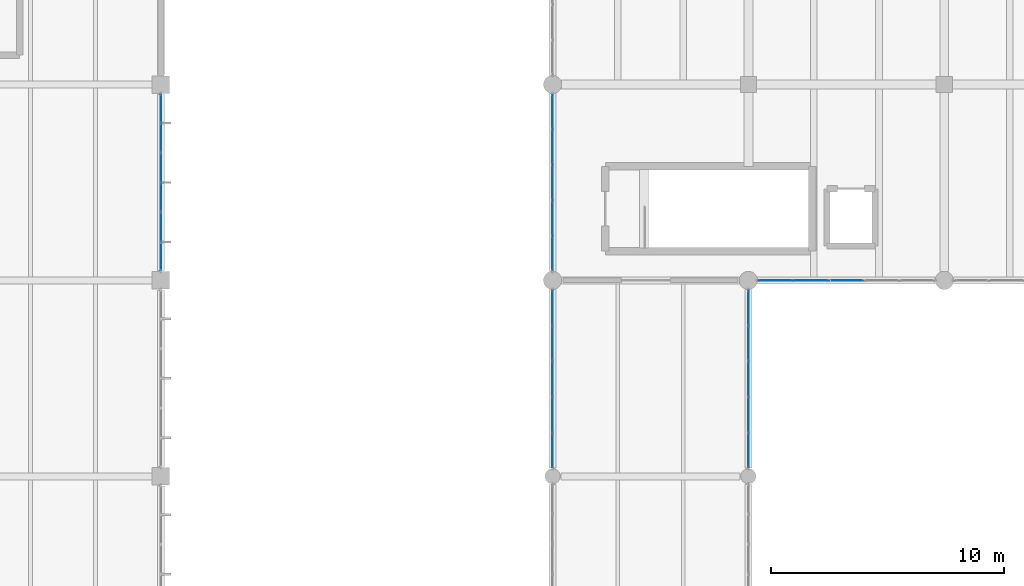
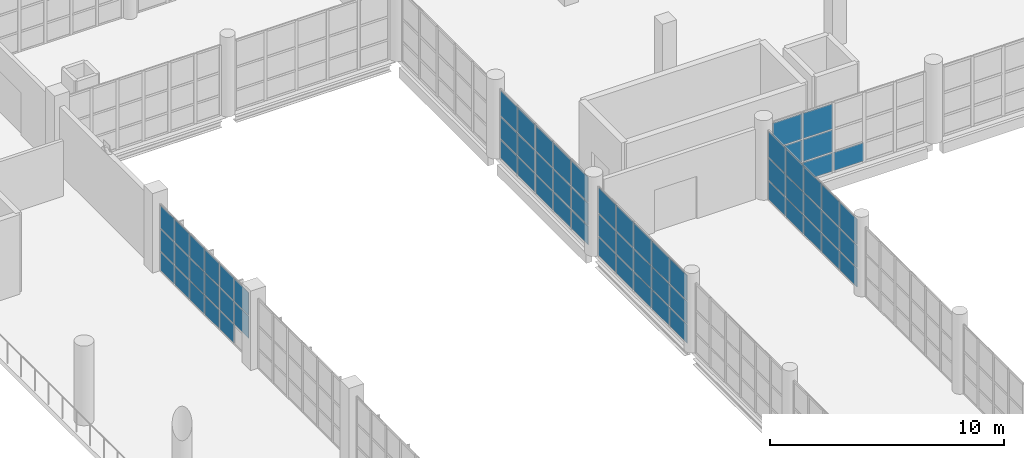
# One storey, part 128 of 177: 69 plates, 5 elements without a shape of their own.
"""IFC4 building model written with IfcOpenShell, lengths in metres."""

from ifc_helpers import new_model, si_unit, direction, frame, origin, origin_2d, place, context, subcontext, project, spatial, rectangle, extrude, material, layer, layer_set, type_object, element, aggregate, save


model = new_model("IFC4")

# Units and contexts
model_context = context("Model", 3, precision=1e-05, world=origin(), true_north=direction((0.0, 1.0)))
body_context = subcontext(model_context, "Body", "Model", "MODEL_VIEW")
ifc_project = project(units=[si_unit("LENGTHUNIT", "METRE"), si_unit("AREAUNIT", "SQUARE_METRE"), si_unit("VOLUMEUNIT", "CUBIC_METRE"), si_unit("PLANEANGLEUNIT", "RADIAN"), si_unit("MASSUNIT", "GRAM", prefix="KILO"), si_unit("THERMODYNAMICTEMPERATUREUNIT", "KELVIN"), si_unit("POWERUNIT", "WATT")], contexts=[model_context])

# Site, building, storey
site_placement = place(None, origin())
site = spatial("IfcSite", under=ifc_project, at=site_placement, CompositionType="ELEMENT")
building_placement = place(site_placement, origin())
building = spatial("IfcBuilding", under=site, at=building_placement, Name="Mavoryth Pier Ferry Terminal", CompositionType="ELEMENT")
storey_placement = place(building_placement, frame((0.0, 0.0, 5.43994140625)))
storey = spatial("IfcBuildingStorey", under=building, at=storey_placement, Name="L01", CompositionType="ELEMENT", Elevation=5.43994140625)

# Curtain wall, plates
ifc_material_1 = material(Name="Anodised Aluminium and Solar-Control Low-E Glass", Category="aluminium")
ifc_layer_1 = layer(ifc_material_1, 0.199951171875, Name="Anodised Aluminium and Solar-Control Low-E Glass", Category="aluminium")
ifc_layer_set_1 = layer_set([ifc_layer_1], Name="Anodised Aluminium and Solar-Control Low-E Glass - CW-Concourse-Mod1200")
curtain_wall_type_1 = type_object("IfcCurtainWallType", Name="CW-Concourse-Mod1200", PredefinedType="USERDEFINED", material=ifc_layer_set_1)
curtain_wall_1_placement = place(storey_placement, origin())
curtain_wall_1 = element("IfcCurtainWall", 1, at=curtain_wall_1_placement, inside=storey, type_object=curtain_wall_type_1, Name="Curtain Wall CW-0111-020", ObjectType="UNITISED CURTAIN WALL", PredefinedType="USERDEFINED")
ifc_material_2 = material(Name="Solar-Control Low-E Laminated Double Glazing", Category="glass")
ifc_layer_2 = layer(ifc_material_2, 0.02392578125, Name="Solar-Control Low-E Laminated Double Glazing", Category="glass")
ifc_layer_set_2 = layer_set([ifc_layer_2], Name="Solar-Control Low-E Laminated Double Glazing - Panel-LowE-DGU-24")
plate_type = type_object("IfcPlateType", Name="Panel-LowE-DGU-24", PredefinedType="CURTAIN_PANEL", material=ifc_layer_set_2)
plate_1_placement = place(storey_placement, frame((33.60009765625, 73.42626953125, 1.07763671875), z_axis=(0.0, 0.0, 1.0), x_axis=(0.0, 1.0, 0.0)))
plate_1 = element("IfcPlate", 2, at=plate_1_placement, type_object=plate_type, Name="CW02 panel 1.2", PredefinedType="CURTAIN_PANEL", context=body_context, shape_type="SweptSolid", body=[
    extrude(rectangle(XDim=1.1923828125, YDim=0.02392578125, at=origin_2d()), origin(), (0.0, 0.0, 1.0), 1.14501953125),
])
plate_2_placement = place(storey_placement, frame((33.60009765625, 73.42626953125, 2.277587890625), z_axis=(0.0, 0.0, 1.0), x_axis=(0.0, 1.0, 0.0)))
plate_2 = element("IfcPlate", 3, at=plate_2_placement, type_object=plate_type, Name="CW02 panel 1.3", PredefinedType="CURTAIN_PANEL", context=body_context, shape_type="SweptSolid", body=[
    extrude(rectangle(XDim=1.1923828125, YDim=0.02392578125, at=origin_2d()), origin(), (0.0, 0.0, 1.0), 1.1826171875),
])
plate_3_placement = place(storey_placement, frame((33.60009765625, 74.6875, 0.05517578125), z_axis=(0.0, 0.0, 1.0), x_axis=(0.0, 1.0, 0.0)))
plate_3 = element("IfcPlate", 4, at=plate_3_placement, type_object=plate_type, Name="CW02 panel 2.1", PredefinedType="CURTAIN_PANEL", context=body_context, shape_type="SweptSolid", body=[
    extrude(rectangle(XDim=1.219970703125, YDim=0.02392578125, at=origin_2d()), origin(), (0.0, 0.0, 1.0), 0.967529296875),
])
plate_4_placement = place(storey_placement, frame((33.60009765625, 74.6875, 1.07763671875), z_axis=(0.0, 0.0, 1.0), x_axis=(0.0, 1.0, 0.0)))
plate_4 = element("IfcPlate", 5, at=plate_4_placement, type_object=plate_type, Name="CW02 panel 2.2", PredefinedType="CURTAIN_PANEL", context=body_context, shape_type="SweptSolid", body=[
    extrude(rectangle(XDim=1.219970703125, YDim=0.02392578125, at=origin_2d()), origin(), (0.0, 0.0, 1.0), 1.14501953125),
])
plate_5_placement = place(storey_placement, frame((33.60009765625, 74.6875, 2.277587890625), z_axis=(0.0, 0.0, 1.0), x_axis=(0.0, 1.0, 0.0)))
plate_5 = element("IfcPlate", 6, at=plate_5_placement, type_object=plate_type, Name="CW02 panel 2.3", PredefinedType="CURTAIN_PANEL", context=body_context, shape_type="SweptSolid", body=[
    extrude(rectangle(XDim=1.219970703125, YDim=0.02392578125, at=origin_2d()), origin(), (0.0, 0.0, 1.0), 1.1826171875),
])
plate_6_placement = place(storey_placement, frame((33.60009765625, 75.96240234375, 0.05517578125), z_axis=(0.0, 0.0, 1.0), x_axis=(0.0, 1.0, 0.0)))
plate_6 = element("IfcPlate", 7, at=plate_6_placement, type_object=plate_type, Name="CW02 panel 3.1", PredefinedType="CURTAIN_PANEL", context=body_context, shape_type="SweptSolid", body=[
    extrude(rectangle(XDim=1.219970703125, YDim=0.02392578125, at=origin_2d()), origin(), (0.0, 0.0, 1.0), 0.967529296875),
])
plate_7_placement = place(storey_placement, frame((33.60009765625, 75.96240234375, 1.07763671875), z_axis=(0.0, 0.0, 1.0), x_axis=(0.0, 1.0, 0.0)))
plate_7 = element("IfcPlate", 8, at=plate_7_placement, type_object=plate_type, Name="CW02 panel 3.2", PredefinedType="CURTAIN_PANEL", context=body_context, shape_type="SweptSolid", body=[
    extrude(rectangle(XDim=1.219970703125, YDim=0.02392578125, at=origin_2d()), origin(), (0.0, 0.0, 1.0), 1.14501953125),
])
plate_8_placement = place(storey_placement, frame((33.60009765625, 75.96240234375, 2.277587890625), z_axis=(0.0, 0.0, 1.0), x_axis=(0.0, 1.0, 0.0)))
plate_8 = element("IfcPlate", 9, at=plate_8_placement, type_object=plate_type, Name="CW02 panel 3.3", PredefinedType="CURTAIN_PANEL", context=body_context, shape_type="SweptSolid", body=[
    extrude(rectangle(XDim=1.219970703125, YDim=0.02392578125, at=origin_2d()), origin(), (0.0, 0.0, 1.0), 1.1826171875),
])
plate_9_placement = place(storey_placement, frame((33.60009765625, 77.237548828125, 0.05517578125), z_axis=(0.0, 0.0, 1.0), x_axis=(0.0, 1.0, 0.0)))
plate_9 = element("IfcPlate", 10, at=plate_9_placement, type_object=plate_type, Name="CW02 panel 4.1", PredefinedType="CURTAIN_PANEL", context=body_context, shape_type="SweptSolid", body=[
    extrude(rectangle(XDim=1.219970703125, YDim=0.02392578125, at=origin_2d()), origin(), (0.0, 0.0, 1.0), 0.967529296875),
])
plate_10_placement = place(storey_placement, frame((33.60009765625, 77.237548828125, 1.07763671875), z_axis=(0.0, 0.0, 1.0), x_axis=(0.0, 1.0, 0.0)))
plate_10 = element("IfcPlate", 11, at=plate_10_placement, type_object=plate_type, Name="CW02 panel 4.2", PredefinedType="CURTAIN_PANEL", context=body_context, shape_type="SweptSolid", body=[
    extrude(rectangle(XDim=1.219970703125, YDim=0.02392578125, at=origin_2d()), origin(), (0.0, 0.0, 1.0), 1.14501953125),
])
plate_11_placement = place(storey_placement, frame((33.60009765625, 77.237548828125, 2.277587890625), z_axis=(0.0, 0.0, 1.0), x_axis=(0.0, 1.0, 0.0)))
plate_11 = element("IfcPlate", 12, at=plate_11_placement, type_object=plate_type, Name="CW02 panel 4.3", PredefinedType="CURTAIN_PANEL", context=body_context, shape_type="SweptSolid", body=[
    extrude(rectangle(XDim=1.219970703125, YDim=0.02392578125, at=origin_2d()), origin(), (0.0, 0.0, 1.0), 1.1826171875),
])
plate_12_placement = place(storey_placement, frame((33.60009765625, 78.512451171875, 0.05517578125), z_axis=(0.0, 0.0, 1.0), x_axis=(0.0, 1.0, 0.0)))
plate_12 = element("IfcPlate", 13, at=plate_12_placement, type_object=plate_type, Name="CW02 panel 5.1", PredefinedType="CURTAIN_PANEL", context=body_context, shape_type="SweptSolid", body=[
    extrude(rectangle(XDim=1.219970703125, YDim=0.02392578125, at=origin_2d()), origin(), (0.0, 0.0, 1.0), 0.967529296875),
])
plate_13_placement = place(storey_placement, frame((33.60009765625, 78.512451171875, 1.07763671875), z_axis=(0.0, 0.0, 1.0), x_axis=(0.0, 1.0, 0.0)))
plate_13 = element("IfcPlate", 14, at=plate_13_placement, type_object=plate_type, Name="CW02 panel 5.2", PredefinedType="CURTAIN_PANEL", context=body_context, shape_type="SweptSolid", body=[
    extrude(rectangle(XDim=1.219970703125, YDim=0.02392578125, at=origin_2d()), origin(), (0.0, 0.0, 1.0), 1.14501953125),
])
plate_14_placement = place(storey_placement, frame((33.60009765625, 78.512451171875, 2.277587890625), z_axis=(0.0, 0.0, 1.0), x_axis=(0.0, 1.0, 0.0)))
plate_14 = element("IfcPlate", 15, at=plate_14_placement, type_object=plate_type, Name="CW02 panel 5.3", PredefinedType="CURTAIN_PANEL", context=body_context, shape_type="SweptSolid", body=[
    extrude(rectangle(XDim=1.219970703125, YDim=0.02392578125, at=origin_2d()), origin(), (0.0, 0.0, 1.0), 1.1826171875),
])
plate_15_placement = place(storey_placement, frame((33.60009765625, 79.773681640625, 0.05517578125), z_axis=(0.0, 0.0, 1.0), x_axis=(0.0, 1.0, 0.0)))
plate_15 = element("IfcPlate", 16, at=plate_15_placement, type_object=plate_type, Name="CW02 panel 6.1", PredefinedType="CURTAIN_PANEL", context=body_context, shape_type="SweptSolid", body=[
    extrude(rectangle(XDim=1.1923828125, YDim=0.02392578125, at=origin_2d()), origin(), (0.0, 0.0, 1.0), 0.967529296875),
])
plate_16_placement = place(storey_placement, frame((33.60009765625, 79.773681640625, 1.07763671875), z_axis=(0.0, 0.0, 1.0), x_axis=(0.0, 1.0, 0.0)))
plate_16 = element("IfcPlate", 17, at=plate_16_placement, type_object=plate_type, Name="CW02 panel 6.2", PredefinedType="CURTAIN_PANEL", context=body_context, shape_type="SweptSolid", body=[
    extrude(rectangle(XDim=1.1923828125, YDim=0.02392578125, at=origin_2d()), origin(), (0.0, 0.0, 1.0), 1.14501953125),
])
plate_17_placement = place(storey_placement, frame((33.60009765625, 79.773681640625, 2.277587890625), z_axis=(0.0, 0.0, 1.0), x_axis=(0.0, 1.0, 0.0)))
plate_17 = element("IfcPlate", 18, at=plate_17_placement, type_object=plate_type, Name="CW02 panel 6.3", PredefinedType="CURTAIN_PANEL", context=body_context, shape_type="SweptSolid", body=[
    extrude(rectangle(XDim=1.1923828125, YDim=0.02392578125, at=origin_2d()), origin(), (0.0, 0.0, 1.0), 1.1826171875),
])
aggregate(curtain_wall_1, [plate_1, plate_2, plate_3, plate_4, plate_5, plate_6, plate_7, plate_8, plate_9, plate_10, plate_11, plate_12, plate_13, plate_14, plate_15, plate_16, plate_17])

ifc_layer_3 = layer(ifc_material_1, 0.159912109375, Name="Anodised Aluminium and Solar-Control Low-E Glass", Category="aluminium")
ifc_layer_set_3 = layer_set([ifc_layer_3], Name="Anodised Aluminium and Solar-Control Low-E Glass - CW-Arrivals-Mod1400")
curtain_wall_type_2 = type_object("IfcCurtainWallType", Name="CW-Arrivals-Mod1400", PredefinedType="USERDEFINED", material=ifc_layer_set_3)
curtain_wall_2_placement = place(storey_placement, origin())
curtain_wall_2 = element("IfcCurtainWall", 19, at=curtain_wall_2_placement, inside=storey, type_object=curtain_wall_type_2, Name="Curtain Wall CW-0122-053", ObjectType="UNITISED CURTAIN WALL", PredefinedType="USERDEFINED")
plate_18_placement = place(storey_placement, frame((59.967041015625, 72.39990234375, 0.06005859375), z_axis=(0.0, 0.0, 1.0), x_axis=(1.0, 0.0, 0.0)))
plate_18 = element("IfcPlate", 20, at=plate_18_placement, type_object=plate_type, Name="CW04 panel 1.1", PredefinedType="CURTAIN_PANEL", context=body_context, shape_type="SweptSolid", body=[
    extrude(rectangle(XDim=1.43408203125, YDim=0.02392578125, at=origin_2d()), origin(), (0.0, 0.0, 1.0), 0.9599609375),
])
plate_19_placement = place(storey_placement, frame((59.967041015625, 72.39990234375, 1.080078125), z_axis=(0.0, 0.0, 1.0), x_axis=(1.0, 0.0, 0.0)))
plate_19 = element("IfcPlate", 21, at=plate_19_placement, type_object=plate_type, Name="CW04 panel 1.2", PredefinedType="CURTAIN_PANEL", context=body_context, shape_type="SweptSolid", body=[
    extrude(rectangle(XDim=1.43408203125, YDim=0.02392578125, at=origin_2d()), origin(), (0.0, 0.0, 1.0), 1.139892578125),
])
plate_20_placement = place(storey_placement, frame((59.967041015625, 72.39990234375, 2.27978515625), z_axis=(0.0, 0.0, 1.0), x_axis=(1.0, 0.0, 0.0)))
plate_20 = element("IfcPlate", 22, at=plate_20_placement, type_object=plate_type, Name="CW04 panel 1.3", PredefinedType="CURTAIN_PANEL", context=body_context, shape_type="SweptSolid", body=[
    extrude(rectangle(XDim=1.43408203125, YDim=0.02392578125, at=origin_2d()), origin(), (0.0, 0.0, 1.0), 1.320068359375),
])
plate_21_placement = place(storey_placement, frame((61.47607421875, 72.39990234375, 0.06005859375), z_axis=(0.0, 0.0, 1.0), x_axis=(1.0, 0.0, 0.0)))
plate_21 = element("IfcPlate", 23, at=plate_21_placement, type_object=plate_type, Name="CW04 panel 2.1", PredefinedType="CURTAIN_PANEL", context=body_context, shape_type="SweptSolid", body=[
    extrude(rectangle(XDim=1.464111328125, YDim=0.02392578125, at=origin_2d()), origin(), (0.0, 0.0, 1.0), 0.9599609375),
])
plate_22_placement = place(storey_placement, frame((61.47607421875, 72.39990234375, 1.080078125), z_axis=(0.0, 0.0, 1.0), x_axis=(1.0, 0.0, 0.0)))
plate_22 = element("IfcPlate", 24, at=plate_22_placement, type_object=plate_type, Name="CW04 panel 2.2", PredefinedType="CURTAIN_PANEL", context=body_context, shape_type="SweptSolid", body=[
    extrude(rectangle(XDim=1.464111328125, YDim=0.02392578125, at=origin_2d()), origin(), (0.0, 0.0, 1.0), 1.139892578125),
])
plate_23_placement = place(storey_placement, frame((61.47607421875, 72.39990234375, 2.27978515625), z_axis=(0.0, 0.0, 1.0), x_axis=(1.0, 0.0, 0.0)))
plate_23 = element("IfcPlate", 25, at=plate_23_placement, type_object=plate_type, Name="CW04 panel 2.3", PredefinedType="CURTAIN_PANEL", context=body_context, shape_type="SweptSolid", body=[
    extrude(rectangle(XDim=1.464111328125, YDim=0.02392578125, at=origin_2d()), origin(), (0.0, 0.0, 1.0), 1.320068359375),
])
plate_24_placement = place(storey_placement, frame((63.0, 72.39990234375, 0.06005859375), z_axis=(0.0, 0.0, 1.0), x_axis=(1.0, 0.0, 0.0)))
plate_24 = element("IfcPlate", 26, at=plate_24_placement, type_object=plate_type, Name="CW04 panel 3.1", PredefinedType="CURTAIN_PANEL", context=body_context, shape_type="SweptSolid", body=[
    extrude(rectangle(XDim=1.464111328125, YDim=0.02392578125, at=origin_2d()), origin(), (0.0, 0.0, 1.0), 0.9599609375),
])
aggregate(curtain_wall_2, [plate_18, plate_19, plate_20, plate_21, plate_22, plate_23, plate_24])

curtain_wall_3_placement = place(storey_placement, origin())
curtain_wall_3 = element("IfcCurtainWall", 27, at=curtain_wall_3_placement, inside=storey, type_object=curtain_wall_type_2, Name="Curtain Wall CW-0122-064", ObjectType="UNITISED CURTAIN WALL", PredefinedType="USERDEFINED")
plate_25_placement = place(storey_placement, frame((50.39990234375, 79.633056640625, 0.06005859375), z_axis=(0.0, 0.0, 1.0), x_axis=(0.0, -1.0, 0.0)))
plate_25 = element("IfcPlate", 28, at=plate_25_placement, type_object=plate_type, Name="CW04 panel 1.1", PredefinedType="CURTAIN_PANEL", context=body_context, shape_type="SweptSolid", body=[
    extrude(rectangle(XDim=1.43408203125, YDim=0.02392578125, at=origin_2d()), origin(), (0.0, 0.0, 1.0), 0.9599609375),
])
plate_26_placement = place(storey_placement, frame((50.39990234375, 79.633056640625, 1.080078125), z_axis=(0.0, 0.0, 1.0), x_axis=(0.0, -1.0, 0.0)))
plate_26 = element("IfcPlate", 29, at=plate_26_placement, type_object=plate_type, Name="CW04 panel 1.2", PredefinedType="CURTAIN_PANEL", context=body_context, shape_type="SweptSolid", body=[
    extrude(rectangle(XDim=1.43408203125, YDim=0.02392578125, at=origin_2d()), origin(), (0.0, 0.0, 1.0), 1.139892578125),
])
plate_27_placement = place(storey_placement, frame((50.39990234375, 79.633056640625, 2.27978515625), z_axis=(0.0, 0.0, 1.0), x_axis=(0.0, -1.0, 0.0)))
plate_27 = element("IfcPlate", 30, at=plate_27_placement, type_object=plate_type, Name="CW04 panel 1.3", PredefinedType="CURTAIN_PANEL", context=body_context, shape_type="SweptSolid", body=[
    extrude(rectangle(XDim=1.43408203125, YDim=0.02392578125, at=origin_2d()), origin(), (0.0, 0.0, 1.0), 1.320068359375),
])
plate_28_placement = place(storey_placement, frame((50.39990234375, 78.1240234375, 0.06005859375), z_axis=(0.0, 0.0, 1.0), x_axis=(0.0, -1.0, 0.0)))
plate_28 = element("IfcPlate", 31, at=plate_28_placement, type_object=plate_type, Name="CW04 panel 2.1", PredefinedType="CURTAIN_PANEL", context=body_context, shape_type="SweptSolid", body=[
    extrude(rectangle(XDim=1.464111328125, YDim=0.02392578125, at=origin_2d()), origin(), (0.0, 0.0, 1.0), 0.9599609375),
])
plate_29_placement = place(storey_placement, frame((50.39990234375, 78.1240234375, 1.080078125), z_axis=(0.0, 0.0, 1.0), x_axis=(0.0, -1.0, 0.0)))
plate_29 = element("IfcPlate", 32, at=plate_29_placement, type_object=plate_type, Name="CW04 panel 2.2", PredefinedType="CURTAIN_PANEL", context=body_context, shape_type="SweptSolid", body=[
    extrude(rectangle(XDim=1.464111328125, YDim=0.02392578125, at=origin_2d()), origin(), (0.0, 0.0, 1.0), 1.139892578125),
])
plate_30_placement = place(storey_placement, frame((50.39990234375, 78.1240234375, 2.27978515625), z_axis=(0.0, 0.0, 1.0), x_axis=(0.0, -1.0, 0.0)))
plate_30 = element("IfcPlate", 33, at=plate_30_placement, type_object=plate_type, Name="CW04 panel 2.3", PredefinedType="CURTAIN_PANEL", context=body_context, shape_type="SweptSolid", body=[
    extrude(rectangle(XDim=1.464111328125, YDim=0.02392578125, at=origin_2d()), origin(), (0.0, 0.0, 1.0), 1.320068359375),
])
plate_31_placement = place(storey_placement, frame((50.39990234375, 76.60009765625, 0.06005859375), z_axis=(0.0, 0.0, 1.0), x_axis=(0.0, -1.0, 0.0)))
plate_31 = element("IfcPlate", 34, at=plate_31_placement, type_object=plate_type, Name="CW04 panel 3.1", PredefinedType="CURTAIN_PANEL", context=body_context, shape_type="SweptSolid", body=[
    extrude(rectangle(XDim=1.464111328125, YDim=0.02392578125, at=origin_2d()), origin(), (0.0, 0.0, 1.0), 0.9599609375),
])
plate_32_placement = place(storey_placement, frame((50.39990234375, 76.60009765625, 1.080078125), z_axis=(0.0, 0.0, 1.0), x_axis=(0.0, -1.0, 0.0)))
plate_32 = element("IfcPlate", 35, at=plate_32_placement, type_object=plate_type, Name="CW04 panel 3.2", PredefinedType="CURTAIN_PANEL", context=body_context, shape_type="SweptSolid", body=[
    extrude(rectangle(XDim=1.464111328125, YDim=0.02392578125, at=origin_2d()), origin(), (0.0, 0.0, 1.0), 1.139892578125),
])
plate_33_placement = place(storey_placement, frame((50.39990234375, 76.60009765625, 2.27978515625), z_axis=(0.0, 0.0, 1.0), x_axis=(0.0, -1.0, 0.0)))
plate_33 = element("IfcPlate", 36, at=plate_33_placement, type_object=plate_type, Name="CW04 panel 3.3", PredefinedType="CURTAIN_PANEL", context=body_context, shape_type="SweptSolid", body=[
    extrude(rectangle(XDim=1.464111328125, YDim=0.02392578125, at=origin_2d()), origin(), (0.0, 0.0, 1.0), 1.320068359375),
])
plate_34_placement = place(storey_placement, frame((50.39990234375, 75.075927734375, 0.06005859375), z_axis=(0.0, 0.0, 1.0), x_axis=(0.0, -1.0, 0.0)))
plate_34 = element("IfcPlate", 37, at=plate_34_placement, type_object=plate_type, Name="CW04 panel 4.1", PredefinedType="CURTAIN_PANEL", context=body_context, shape_type="SweptSolid", body=[
    extrude(rectangle(XDim=1.464111328125, YDim=0.02392578125, at=origin_2d()), origin(), (0.0, 0.0, 1.0), 0.9599609375),
])
plate_35_placement = place(storey_placement, frame((50.39990234375, 75.075927734375, 1.080078125), z_axis=(0.0, 0.0, 1.0), x_axis=(0.0, -1.0, 0.0)))
plate_35 = element("IfcPlate", 38, at=plate_35_placement, type_object=plate_type, Name="CW04 panel 4.2", PredefinedType="CURTAIN_PANEL", context=body_context, shape_type="SweptSolid", body=[
    extrude(rectangle(XDim=1.464111328125, YDim=0.02392578125, at=origin_2d()), origin(), (0.0, 0.0, 1.0), 1.139892578125),
])
plate_36_placement = place(storey_placement, frame((50.39990234375, 75.075927734375, 2.27978515625), z_axis=(0.0, 0.0, 1.0), x_axis=(0.0, -1.0, 0.0)))
plate_36 = element("IfcPlate", 39, at=plate_36_placement, type_object=plate_type, Name="CW04 panel 4.3", PredefinedType="CURTAIN_PANEL", context=body_context, shape_type="SweptSolid", body=[
    extrude(rectangle(XDim=1.464111328125, YDim=0.02392578125, at=origin_2d()), origin(), (0.0, 0.0, 1.0), 1.320068359375),
])
plate_37_placement = place(storey_placement, frame((50.39990234375, 73.56689453125, 0.06005859375), z_axis=(0.0, 0.0, 1.0), x_axis=(0.0, -1.0, 0.0)))
plate_37 = element("IfcPlate", 40, at=plate_37_placement, type_object=plate_type, Name="CW04 panel 5.1", PredefinedType="CURTAIN_PANEL", context=body_context, shape_type="SweptSolid", body=[
    extrude(rectangle(XDim=1.43408203125, YDim=0.02392578125, at=origin_2d()), origin(), (0.0, 0.0, 1.0), 0.9599609375),
])
plate_38_placement = place(storey_placement, frame((50.39990234375, 73.56689453125, 1.080078125), z_axis=(0.0, 0.0, 1.0), x_axis=(0.0, -1.0, 0.0)))
plate_38 = element("IfcPlate", 41, at=plate_38_placement, type_object=plate_type, Name="CW04 panel 5.2", PredefinedType="CURTAIN_PANEL", context=body_context, shape_type="SweptSolid", body=[
    extrude(rectangle(XDim=1.43408203125, YDim=0.02392578125, at=origin_2d()), origin(), (0.0, 0.0, 1.0), 1.139892578125),
])
plate_39_placement = place(storey_placement, frame((50.39990234375, 73.56689453125, 2.27978515625), z_axis=(0.0, 0.0, 1.0), x_axis=(0.0, -1.0, 0.0)))
plate_39 = element("IfcPlate", 42, at=plate_39_placement, type_object=plate_type, Name="CW04 panel 5.3", PredefinedType="CURTAIN_PANEL", context=body_context, shape_type="SweptSolid", body=[
    extrude(rectangle(XDim=1.43408203125, YDim=0.02392578125, at=origin_2d()), origin(), (0.0, 0.0, 1.0), 1.320068359375),
])
aggregate(curtain_wall_3, [plate_25, plate_26, plate_27, plate_28, plate_29, plate_30, plate_31, plate_32, plate_33, plate_34, plate_35, plate_36, plate_37, plate_38, plate_39])

ifc_layer_4 = layer(ifc_material_1, 0.1201171875, Name="Anodised Aluminium and Solar-Control Low-E Glass", Category="aluminium")
ifc_layer_set_4 = layer_set([ifc_layer_4], Name="Anodised Aluminium and Solar-Control Low-E Glass - CW-BridgeLink-Mod1400")
curtain_wall_type_3 = type_object("IfcCurtainWallType", Name="CW-BridgeLink-Mod1400", PredefinedType="USERDEFINED", material=ifc_layer_set_4)
curtain_wall_4_placement = place(storey_placement, origin())
curtain_wall_4 = element("IfcCurtainWall", 43, at=curtain_wall_4_placement, inside=storey, type_object=curtain_wall_type_3, Name="Curtain Wall CW-0111-108", ObjectType="UNITISED CURTAIN WALL", PredefinedType="USERDEFINED")
plate_40_placement = place(storey_placement, frame((50.39990234375, 71.227783203125, 0.05517578125), z_axis=(0.0, 0.0, 1.0), x_axis=(0.0, -1.0, 0.0)))
plate_40 = element("IfcPlate", 44, at=plate_40_placement, type_object=plate_type, Name="CW08 panel 1.1", PredefinedType="CURTAIN_PANEL", context=body_context, shape_type="SweptSolid", body=[
    extrude(rectangle(XDim=1.45458984375, YDim=0.02392578125, at=origin_2d()), origin(), (0.0, 0.0, 1.0), 0.967529296875),
])
plate_41_placement = place(storey_placement, frame((50.39990234375, 71.227783203125, 1.07763671875), z_axis=(0.0, 0.0, 1.0), x_axis=(0.0, -1.0, 0.0)))
plate_41 = element("IfcPlate", 45, at=plate_41_placement, type_object=plate_type, Name="CW08 panel 1.2", PredefinedType="CURTAIN_PANEL", context=body_context, shape_type="SweptSolid", body=[
    extrude(rectangle(XDim=1.45458984375, YDim=0.02392578125, at=origin_2d()), origin(), (0.0, 0.0, 1.0), 1.14501953125),
])
plate_42_placement = place(storey_placement, frame((50.39990234375, 71.227783203125, 2.27734375), z_axis=(0.0, 0.0, 1.0), x_axis=(0.0, -1.0, 0.0)))
plate_42 = element("IfcPlate", 46, at=plate_42_placement, type_object=plate_type, Name="CW08 panel 1.3", PredefinedType="CURTAIN_PANEL", context=body_context, shape_type="SweptSolid", body=[
    extrude(rectangle(XDim=1.45458984375, YDim=0.02392578125, at=origin_2d()), origin(), (0.0, 0.0, 1.0), 1.322509765625),
])
plate_43_placement = place(storey_placement, frame((50.39990234375, 69.70458984375, 0.05517578125), z_axis=(0.0, 0.0, 1.0), x_axis=(0.0, -1.0, 0.0)))
plate_43 = element("IfcPlate", 47, at=plate_43_placement, type_object=plate_type, Name="CW08 panel 2.1", PredefinedType="CURTAIN_PANEL", context=body_context, shape_type="SweptSolid", body=[
    extrude(rectangle(XDim=1.48193359375, YDim=0.02392578125, at=origin_2d()), origin(), (0.0, 0.0, 1.0), 0.967529296875),
])
plate_44_placement = place(storey_placement, frame((50.39990234375, 69.70458984375, 1.07763671875), z_axis=(0.0, 0.0, 1.0), x_axis=(0.0, -1.0, 0.0)))
plate_44 = element("IfcPlate", 48, at=plate_44_placement, type_object=plate_type, Name="CW08 panel 2.2", PredefinedType="CURTAIN_PANEL", context=body_context, shape_type="SweptSolid", body=[
    extrude(rectangle(XDim=1.48193359375, YDim=0.02392578125, at=origin_2d()), origin(), (0.0, 0.0, 1.0), 1.14501953125),
])
plate_45_placement = place(storey_placement, frame((50.39990234375, 69.70458984375, 2.27734375), z_axis=(0.0, 0.0, 1.0), x_axis=(0.0, -1.0, 0.0)))
plate_45 = element("IfcPlate", 49, at=plate_45_placement, type_object=plate_type, Name="CW08 panel 2.3", PredefinedType="CURTAIN_PANEL", context=body_context, shape_type="SweptSolid", body=[
    extrude(rectangle(XDim=1.48193359375, YDim=0.02392578125, at=origin_2d()), origin(), (0.0, 0.0, 1.0), 1.322509765625),
])
plate_46_placement = place(storey_placement, frame((50.39990234375, 68.16748046875, 0.05517578125), z_axis=(0.0, 0.0, 1.0), x_axis=(0.0, -1.0, 0.0)))
plate_46 = element("IfcPlate", 50, at=plate_46_placement, type_object=plate_type, Name="CW08 panel 3.1", PredefinedType="CURTAIN_PANEL", context=body_context, shape_type="SweptSolid", body=[
    extrude(rectangle(XDim=1.48193359375, YDim=0.02392578125, at=origin_2d()), origin(), (0.0, 0.0, 1.0), 0.967529296875),
])
plate_47_placement = place(storey_placement, frame((50.39990234375, 68.16748046875, 1.07763671875), z_axis=(0.0, 0.0, 1.0), x_axis=(0.0, -1.0, 0.0)))
plate_47 = element("IfcPlate", 51, at=plate_47_placement, type_object=plate_type, Name="CW08 panel 3.2", PredefinedType="CURTAIN_PANEL", context=body_context, shape_type="SweptSolid", body=[
    extrude(rectangle(XDim=1.48193359375, YDim=0.02392578125, at=origin_2d()), origin(), (0.0, 0.0, 1.0), 1.14501953125),
])
plate_48_placement = place(storey_placement, frame((50.39990234375, 68.16748046875, 2.27734375), z_axis=(0.0, 0.0, 1.0), x_axis=(0.0, -1.0, 0.0)))
plate_48 = element("IfcPlate", 52, at=plate_48_placement, type_object=plate_type, Name="CW08 panel 3.3", PredefinedType="CURTAIN_PANEL", context=body_context, shape_type="SweptSolid", body=[
    extrude(rectangle(XDim=1.48193359375, YDim=0.02392578125, at=origin_2d()), origin(), (0.0, 0.0, 1.0), 1.322509765625),
])
plate_49_placement = place(storey_placement, frame((50.39990234375, 66.630615234375, 0.05517578125), z_axis=(0.0, 0.0, 1.0), x_axis=(0.0, -1.0, 0.0)))
plate_49 = element("IfcPlate", 53, at=plate_49_placement, type_object=plate_type, Name="CW08 panel 4.1", PredefinedType="CURTAIN_PANEL", context=body_context, shape_type="SweptSolid", body=[
    extrude(rectangle(XDim=1.48193359375, YDim=0.02392578125, at=origin_2d()), origin(), (0.0, 0.0, 1.0), 0.967529296875),
])
plate_50_placement = place(storey_placement, frame((50.39990234375, 66.630615234375, 1.07763671875), z_axis=(0.0, 0.0, 1.0), x_axis=(0.0, -1.0, 0.0)))
plate_50 = element("IfcPlate", 54, at=plate_50_placement, type_object=plate_type, Name="CW08 panel 4.2", PredefinedType="CURTAIN_PANEL", context=body_context, shape_type="SweptSolid", body=[
    extrude(rectangle(XDim=1.48193359375, YDim=0.02392578125, at=origin_2d()), origin(), (0.0, 0.0, 1.0), 1.14501953125),
])
plate_51_placement = place(storey_placement, frame((50.39990234375, 66.630615234375, 2.27734375), z_axis=(0.0, 0.0, 1.0), x_axis=(0.0, -1.0, 0.0)))
plate_51 = element("IfcPlate", 55, at=plate_51_placement, type_object=plate_type, Name="CW08 panel 4.3", PredefinedType="CURTAIN_PANEL", context=body_context, shape_type="SweptSolid", body=[
    extrude(rectangle(XDim=1.48193359375, YDim=0.02392578125, at=origin_2d()), origin(), (0.0, 0.0, 1.0), 1.322509765625),
])
plate_52_placement = place(storey_placement, frame((50.39990234375, 65.107177734375, 0.05517578125), z_axis=(0.0, 0.0, 1.0), x_axis=(0.0, -1.0, 0.0)))
plate_52 = element("IfcPlate", 56, at=plate_52_placement, type_object=plate_type, Name="CW08 panel 5.1", PredefinedType="CURTAIN_PANEL", context=body_context, shape_type="SweptSolid", body=[
    extrude(rectangle(XDim=1.45458984375, YDim=0.02392578125, at=origin_2d()), origin(), (0.0, 0.0, 1.0), 0.967529296875),
])
plate_53_placement = place(storey_placement, frame((50.39990234375, 65.107177734375, 1.07763671875), z_axis=(0.0, 0.0, 1.0), x_axis=(0.0, -1.0, 0.0)))
plate_53 = element("IfcPlate", 57, at=plate_53_placement, type_object=plate_type, Name="CW08 panel 5.2", PredefinedType="CURTAIN_PANEL", context=body_context, shape_type="SweptSolid", body=[
    extrude(rectangle(XDim=1.45458984375, YDim=0.02392578125, at=origin_2d()), origin(), (0.0, 0.0, 1.0), 1.14501953125),
])
plate_54_placement = place(storey_placement, frame((50.39990234375, 65.107177734375, 2.27734375), z_axis=(0.0, 0.0, 1.0), x_axis=(0.0, -1.0, 0.0)))
plate_54 = element("IfcPlate", 58, at=plate_54_placement, type_object=plate_type, Name="CW08 panel 5.3", PredefinedType="CURTAIN_PANEL", context=body_context, shape_type="SweptSolid", body=[
    extrude(rectangle(XDim=1.45458984375, YDim=0.02392578125, at=origin_2d()), origin(), (0.0, 0.0, 1.0), 1.322509765625),
])
aggregate(curtain_wall_4, [plate_40, plate_41, plate_42, plate_43, plate_44, plate_45, plate_46, plate_47, plate_48, plate_49, plate_50, plate_51, plate_52, plate_53, plate_54])

curtain_wall_5_placement = place(storey_placement, origin())
curtain_wall_5 = element("IfcCurtainWall", 59, at=curtain_wall_5_placement, inside=storey, type_object=curtain_wall_type_3, Name="Curtain Wall CW-0111-109", ObjectType="UNITISED CURTAIN WALL", PredefinedType="USERDEFINED")
plate_55_placement = place(storey_placement, frame((58.800048828125, 65.107177734375, 0.05517578125), z_axis=(0.0, 0.0, 1.0), x_axis=(0.0, 1.0, 0.0)))
plate_55 = element("IfcPlate", 60, at=plate_55_placement, type_object=plate_type, Name="CW08 panel 1.1", PredefinedType="CURTAIN_PANEL", context=body_context, shape_type="SweptSolid", body=[
    extrude(rectangle(XDim=1.45458984375, YDim=0.02392578125, at=origin_2d()), origin(), (0.0, 0.0, 1.0), 0.967529296875),
])
plate_56_placement = place(storey_placement, frame((58.800048828125, 65.107177734375, 1.07763671875), z_axis=(0.0, 0.0, 1.0), x_axis=(0.0, 1.0, 0.0)))
plate_56 = element("IfcPlate", 61, at=plate_56_placement, type_object=plate_type, Name="CW08 panel 1.2", PredefinedType="CURTAIN_PANEL", context=body_context, shape_type="SweptSolid", body=[
    extrude(rectangle(XDim=1.45458984375, YDim=0.02392578125, at=origin_2d()), origin(), (0.0, 0.0, 1.0), 1.14501953125),
])
plate_57_placement = place(storey_placement, frame((58.800048828125, 65.107177734375, 2.27734375), z_axis=(0.0, 0.0, 1.0), x_axis=(0.0, 1.0, 0.0)))
plate_57 = element("IfcPlate", 62, at=plate_57_placement, type_object=plate_type, Name="CW08 panel 1.3", PredefinedType="CURTAIN_PANEL", context=body_context, shape_type="SweptSolid", body=[
    extrude(rectangle(XDim=1.45458984375, YDim=0.02392578125, at=origin_2d()), origin(), (0.0, 0.0, 1.0), 1.322509765625),
])
plate_58_placement = place(storey_placement, frame((58.800048828125, 66.630615234375, 0.05517578125), z_axis=(0.0, 0.0, 1.0), x_axis=(0.0, 1.0, 0.0)))
plate_58 = element("IfcPlate", 63, at=plate_58_placement, type_object=plate_type, Name="CW08 panel 2.1", PredefinedType="CURTAIN_PANEL", context=body_context, shape_type="SweptSolid", body=[
    extrude(rectangle(XDim=1.48193359375, YDim=0.02392578125, at=origin_2d()), origin(), (0.0, 0.0, 1.0), 0.967529296875),
])
plate_59_placement = place(storey_placement, frame((58.800048828125, 66.630615234375, 1.07763671875), z_axis=(0.0, 0.0, 1.0), x_axis=(0.0, 1.0, 0.0)))
plate_59 = element("IfcPlate", 64, at=plate_59_placement, type_object=plate_type, Name="CW08 panel 2.2", PredefinedType="CURTAIN_PANEL", context=body_context, shape_type="SweptSolid", body=[
    extrude(rectangle(XDim=1.48193359375, YDim=0.02392578125, at=origin_2d()), origin(), (0.0, 0.0, 1.0), 1.14501953125),
])
plate_60_placement = place(storey_placement, frame((58.800048828125, 66.630615234375, 2.27734375), z_axis=(0.0, 0.0, 1.0), x_axis=(0.0, 1.0, 0.0)))
plate_60 = element("IfcPlate", 65, at=plate_60_placement, type_object=plate_type, Name="CW08 panel 2.3", PredefinedType="CURTAIN_PANEL", context=body_context, shape_type="SweptSolid", body=[
    extrude(rectangle(XDim=1.48193359375, YDim=0.02392578125, at=origin_2d()), origin(), (0.0, 0.0, 1.0), 1.322509765625),
])
plate_61_placement = place(storey_placement, frame((58.800048828125, 68.16748046875, 0.05517578125), z_axis=(0.0, 0.0, 1.0), x_axis=(0.0, 1.0, 0.0)))
plate_61 = element("IfcPlate", 66, at=plate_61_placement, type_object=plate_type, Name="CW08 panel 3.1", PredefinedType="CURTAIN_PANEL", context=body_context, shape_type="SweptSolid", body=[
    extrude(rectangle(XDim=1.48193359375, YDim=0.02392578125, at=origin_2d()), origin(), (0.0, 0.0, 1.0), 0.967529296875),
])
plate_62_placement = place(storey_placement, frame((58.800048828125, 68.16748046875, 1.07763671875), z_axis=(0.0, 0.0, 1.0), x_axis=(0.0, 1.0, 0.0)))
plate_62 = element("IfcPlate", 67, at=plate_62_placement, type_object=plate_type, Name="CW08 panel 3.2", PredefinedType="CURTAIN_PANEL", context=body_context, shape_type="SweptSolid", body=[
    extrude(rectangle(XDim=1.48193359375, YDim=0.02392578125, at=origin_2d()), origin(), (0.0, 0.0, 1.0), 1.14501953125),
])
plate_63_placement = place(storey_placement, frame((58.800048828125, 68.16748046875, 2.27734375), z_axis=(0.0, 0.0, 1.0), x_axis=(0.0, 1.0, 0.0)))
plate_63 = element("IfcPlate", 68, at=plate_63_placement, type_object=plate_type, Name="CW08 panel 3.3", PredefinedType="CURTAIN_PANEL", context=body_context, shape_type="SweptSolid", body=[
    extrude(rectangle(XDim=1.48193359375, YDim=0.02392578125, at=origin_2d()), origin(), (0.0, 0.0, 1.0), 1.322509765625),
])
plate_64_placement = place(storey_placement, frame((58.800048828125, 69.70458984375, 0.05517578125), z_axis=(0.0, 0.0, 1.0), x_axis=(0.0, 1.0, 0.0)))
plate_64 = element("IfcPlate", 69, at=plate_64_placement, type_object=plate_type, Name="CW08 panel 4.1", PredefinedType="CURTAIN_PANEL", context=body_context, shape_type="SweptSolid", body=[
    extrude(rectangle(XDim=1.48193359375, YDim=0.02392578125, at=origin_2d()), origin(), (0.0, 0.0, 1.0), 0.967529296875),
])
plate_65_placement = place(storey_placement, frame((58.800048828125, 69.70458984375, 1.07763671875), z_axis=(0.0, 0.0, 1.0), x_axis=(0.0, 1.0, 0.0)))
plate_65 = element("IfcPlate", 70, at=plate_65_placement, type_object=plate_type, Name="CW08 panel 4.2", PredefinedType="CURTAIN_PANEL", context=body_context, shape_type="SweptSolid", body=[
    extrude(rectangle(XDim=1.48193359375, YDim=0.02392578125, at=origin_2d()), origin(), (0.0, 0.0, 1.0), 1.14501953125),
])
plate_66_placement = place(storey_placement, frame((58.800048828125, 69.70458984375, 2.27734375), z_axis=(0.0, 0.0, 1.0), x_axis=(0.0, 1.0, 0.0)))
plate_66 = element("IfcPlate", 71, at=plate_66_placement, type_object=plate_type, Name="CW08 panel 4.3", PredefinedType="CURTAIN_PANEL", context=body_context, shape_type="SweptSolid", body=[
    extrude(rectangle(XDim=1.48193359375, YDim=0.02392578125, at=origin_2d()), origin(), (0.0, 0.0, 1.0), 1.322509765625),
])
plate_67_placement = place(storey_placement, frame((58.800048828125, 71.227783203125, 0.05517578125), z_axis=(0.0, 0.0, 1.0), x_axis=(0.0, 1.0, 0.0)))
plate_67 = element("IfcPlate", 72, at=plate_67_placement, type_object=plate_type, Name="CW08 panel 5.1", PredefinedType="CURTAIN_PANEL", context=body_context, shape_type="SweptSolid", body=[
    extrude(rectangle(XDim=1.45458984375, YDim=0.02392578125, at=origin_2d()), origin(), (0.0, 0.0, 1.0), 0.967529296875),
])
plate_68_placement = place(storey_placement, frame((58.800048828125, 71.227783203125, 1.07763671875), z_axis=(0.0, 0.0, 1.0), x_axis=(0.0, 1.0, 0.0)))
plate_68 = element("IfcPlate", 73, at=plate_68_placement, type_object=plate_type, Name="CW08 panel 5.2", PredefinedType="CURTAIN_PANEL", context=body_context, shape_type="SweptSolid", body=[
    extrude(rectangle(XDim=1.45458984375, YDim=0.02392578125, at=origin_2d()), origin(), (0.0, 0.0, 1.0), 1.14501953125),
])
plate_69_placement = place(storey_placement, frame((58.800048828125, 71.227783203125, 2.27734375), z_axis=(0.0, 0.0, 1.0), x_axis=(0.0, 1.0, 0.0)))
plate_69 = element("IfcPlate", 74, at=plate_69_placement, type_object=plate_type, Name="CW08 panel 5.3", PredefinedType="CURTAIN_PANEL", context=body_context, shape_type="SweptSolid", body=[
    extrude(rectangle(XDim=1.45458984375, YDim=0.02392578125, at=origin_2d()), origin(), (0.0, 0.0, 1.0), 1.322509765625),
])
aggregate(curtain_wall_5, [plate_55, plate_56, plate_57, plate_58, plate_59, plate_60, plate_61, plate_62, plate_63, plate_64, plate_65, plate_66, plate_67, plate_68, plate_69])

save(model, "model.ifc")
